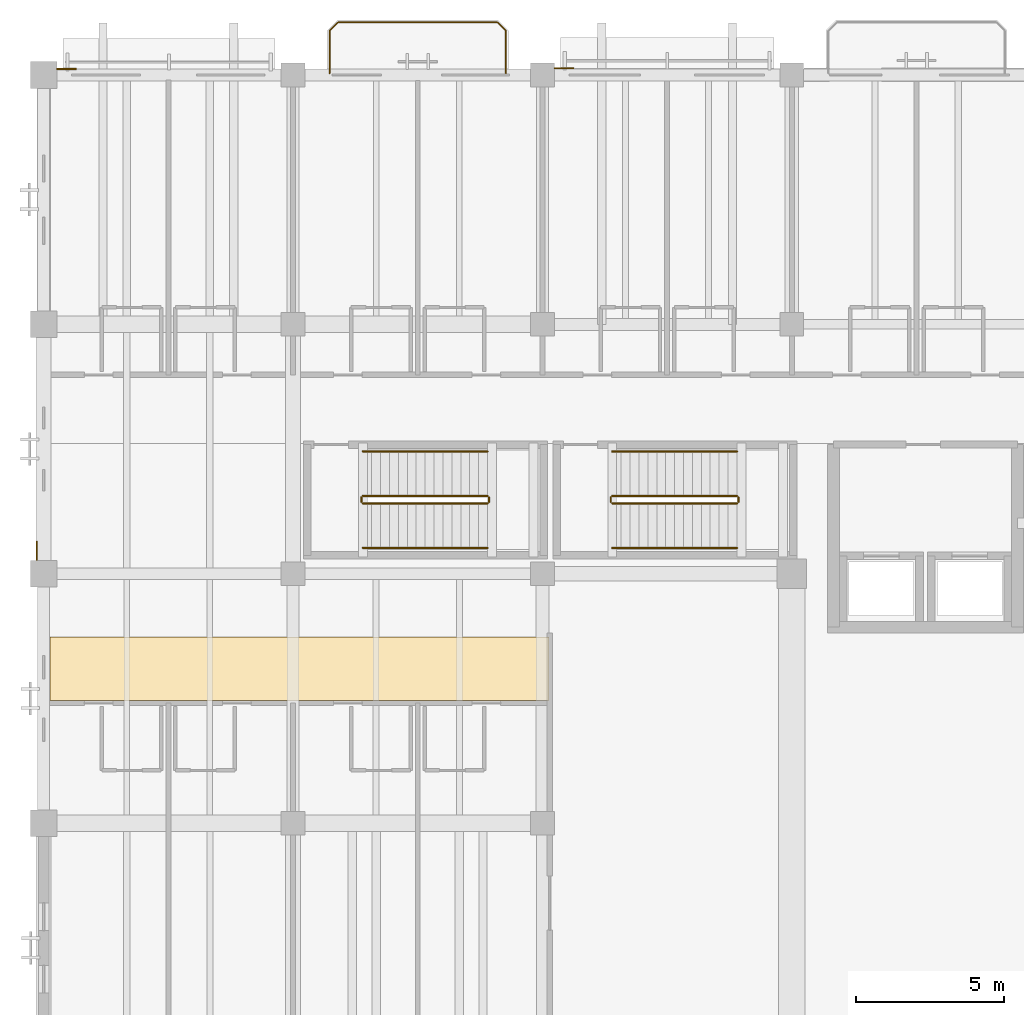
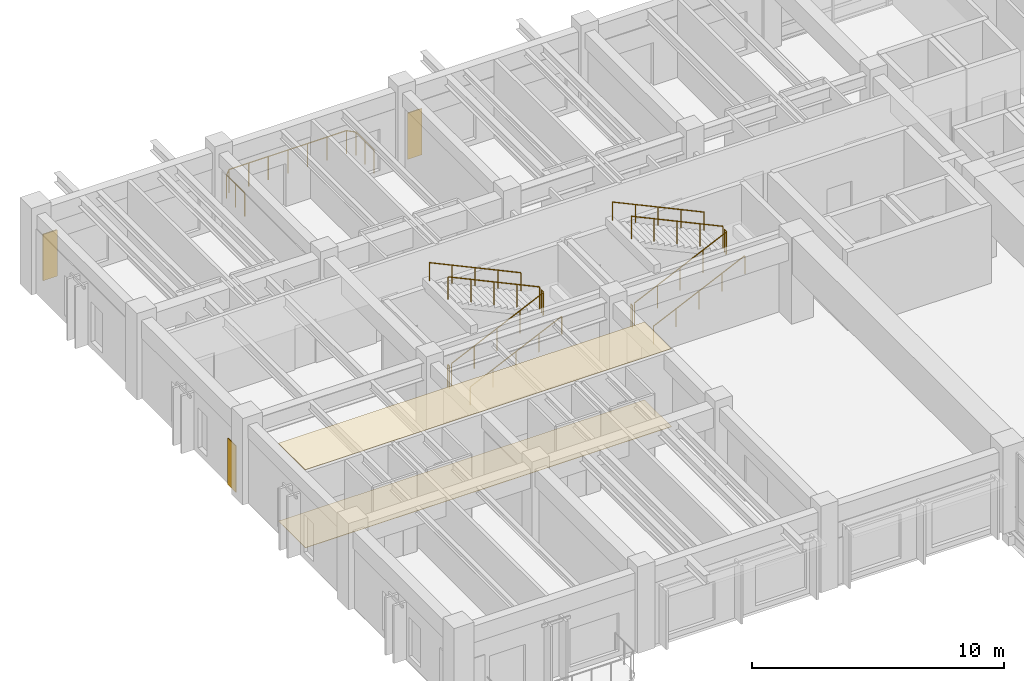
# One storey, part 115 of 132: 13 railings, 5 coverings.
"""IFC4 building model written with IfcOpenShell, lengths in metres."""

from ifc_helpers import new_model, si_unit, direction, frame, origin, origin_2d, place, context, subcontext, project, spatial, polyline, circle, outline, extrude, material, layer, layer_set, type_object, element, save


model = new_model("IFC4")

# Units and contexts
model_context = context("Model", 3, precision=1e-05, world=origin(), true_north=direction((0.0, 1.0)))
body_context = subcontext(model_context, "Body", "Model", "MODEL_VIEW")
ifc_project = project(units=[si_unit("LENGTHUNIT", "METRE"), si_unit("AREAUNIT", "SQUARE_METRE"), si_unit("VOLUMEUNIT", "CUBIC_METRE"), si_unit("PLANEANGLEUNIT", "RADIAN"), si_unit("MASSUNIT", "GRAM", prefix="KILO")], contexts=[model_context])

# Site, building, storey
site_placement = place(None, origin())
site = spatial("IfcSite", under=ifc_project, at=site_placement, CompositionType="ELEMENT")
building_placement = place(site_placement, origin())
building = spatial("IfcBuilding", under=site, at=building_placement, Name="Cumbredor Promenade Congress Hotel", CompositionType="ELEMENT")
storey_placement = place(building_placement, frame((0.0, 0.0, 7.56005859375)))
storey = spatial("IfcBuildingStorey", under=building, at=storey_placement, Name="L02", CompositionType="ELEMENT", Elevation=7.56005859375)

# Coverings
ifc_material_1 = material(Name="Acoustic mineral-fiber and gypsum ceiling")
ifc_layer_1 = layer(ifc_material_1, 0.028076171875, Name="Acoustic mineral-fiber and gypsum ceiling")
ifc_layer_set_1 = layer_set([ifc_layer_1], Name="Acoustic mineral-fiber and gypsum ceiling")
covering_type_1 = type_object("IfcCoveringType", Name="Acoustic Perforated Gypsum Ceiling CLG-03 28mm", PredefinedType="CEILING", material=ifc_layer_set_1)
covering_1_placement = place(storey_placement, frame((0.0, 0.0, 3.77197265625)))
element("IfcCovering", 1, at=covering_1_placement, inside=storey, type_object=covering_type_1, Name="L02 Hotel West Garden Corridor Acoustic Ceiling", PredefinedType="CEILING", context=body_context, shape_type="SweptSolid", body=[
    extrude(outline(polyline([(0.219970703125, 98.669921875), (17.02001953125, 98.669921875), (17.02001953125, 96.530029296875), (0.219970703125, 96.530029296875), (0.219970703125, 98.669921875)])), origin(), (0.0, 0.0, 1.0), 0.028076171875),
])
ifc_material_2 = material(Name="Precast concrete C40/50", Category="concrete")
ifc_layer_2 = layer(ifc_material_2, 0.044921875, Name="Precast concrete C40/50", Category="concrete")
ifc_layer_set_2 = layer_set([ifc_layer_2], Name="Precast concrete C40/50")
covering_type_2 = type_object("IfcCoveringType", Name="Board-Formed Architectural Cladding Panel 45mm", PredefinedType="CLADDING", material=ifc_layer_set_2)
covering_2_placement = place(storey_placement, origin())
element("IfcCovering", 2, at=covering_2_placement, inside=storey, type_object=covering_type_2, Name="L02 Facade Stone Cladding Pier 124", PredefinedType="CLADDING", context=body_context, shape_type="SweptSolid", body=[
    extrude(outline(polyline([(0.450927734375, 117.77490234375), (1.10107421875, 117.77490234375), (1.10107421875, 117.820068359375), (0.450927734375, 117.820068359375), (0.450927734375, 117.77490234375)])), origin(), (0.0, 0.0, 1.0), 2.25),
])

# Railings
ifc_material_3 = material(Name="Brushed stainless steel", Category="steel")
railing_type_1 = type_object("IfcRailingType", Name="Interior Void & Stair Guardrail GR-1100", PredefinedType="GUARDRAIL", material=ifc_material_3)
railing_1_placement = place(storey_placement, frame((10.75, 103.169921875, 0.139892578125)))
element("IfcRailing", 3, at=railing_1_placement, inside=storey, type_object=railing_type_1, Name="L02 ST-01 stair guard 1", PredefinedType="GUARDRAIL", context=body_context, shape_type="SweptSolid", body=[
    extrude(circle(Radius=0.02392578125, at=origin_2d()), frame((0.0, 0.0, 1.09619140625), z_axis=(0.906184485727, 0.0, 0.422882581609), x_axis=(0.0, 1.0, 0.0)), (0.0, 0.0, 1.0), 4.634765625),
    extrude(circle(Radius=0.02099609375, at=origin_2d()), origin(), (0.0, 0.0, 1.0), 1.072021484375),
    extrude(circle(Radius=0.02099609375, at=origin_2d()), frame((1.050048828125, 0.0, 0.489990234375)), (0.0, 0.0, 1.0), 1.072021484375),
    extrude(circle(Radius=0.02099609375, at=origin_2d()), frame((2.10009765625, 0.0, 0.97998046875)), (0.0, 0.0, 1.0), 1.072021484375),
    extrude(circle(Radius=0.02099609375, at=origin_2d()), frame((3.14990234375, 0.0, 1.469970703125)), (0.0, 0.0, 1.0), 1.072021484375),
    extrude(circle(Radius=0.02099609375, at=origin_2d()), frame((4.199951171875, 0.0, 1.9599609375)), (0.0, 0.0, 1.0), 1.072021484375),
])
railing_2_placement = place(storey_placement, frame((15.0, 103.219970703125, 2.099853515625)))
element("IfcRailing", 4, at=railing_2_placement, inside=storey, type_object=railing_type_1, Name="L02 ST-01 stair guard 2", PredefinedType="GUARDRAIL", context=body_context, shape_type="SweptSolid", body=[
    extrude(circle(Radius=0.02392578125, at=origin_2d()), frame((0.0, 0.0, 1.09619140625), z_axis=(0.0, 1.0, 0.0), x_axis=(-1.0, 0.0, 0.0)), (0.0, 0.0, 1.0), 0.150146484375),
    extrude(circle(Radius=0.02099609375, at=origin_2d()), origin(), (0.0, 0.0, 1.0), 1.072021484375),
    extrude(circle(Radius=0.02099609375, at=origin_2d()), frame((0.0, 0.150146484375, 0.0)), (0.0, 0.0, 1.0), 1.072021484375),
])
railing_3_placement = place(storey_placement, frame((14.949951171875, 103.419921875, 2.239990234375)))
element("IfcRailing", 5, at=railing_3_placement, inside=storey, type_object=railing_type_1, Name="L02 ST-01 stair guard 3", PredefinedType="GUARDRAIL", context=body_context, shape_type="SweptSolid", body=[
    extrude(circle(Radius=0.02392578125, at=origin_2d()), frame((0.0, 0.0, 1.09619140625), z_axis=(-0.906184485727, 0.0, 0.422882581609), x_axis=(0.0, -1.0, 0.0)), (0.0, 0.0, 1.0), 4.634765625),
    extrude(circle(Radius=0.02099609375, at=origin_2d()), origin(), (0.0, 0.0, 1.0), 1.072021484375),
    extrude(circle(Radius=0.02099609375, at=origin_2d()), frame((-1.050048828125, 0.0, 0.489990234375)), (0.0, 0.0, 1.0), 1.072021484375),
    extrude(circle(Radius=0.02099609375, at=origin_2d()), frame((-2.10009765625, 0.0, 0.97998046875)), (0.0, 0.0, 1.0), 1.072021484375),
    extrude(circle(Radius=0.02099609375, at=origin_2d()), frame((-3.14990234375, 0.0, 1.469970703125)), (0.0, 0.0, 1.0), 1.072021484375),
    extrude(circle(Radius=0.02099609375, at=origin_2d()), frame((-4.199951171875, 0.0, 1.9599609375)), (0.0, 0.0, 1.0), 1.072021484375),
])
railing_4_placement = place(storey_placement, frame((10.699951171875, 103.219970703125, 0.0)))
element("IfcRailing", 6, at=railing_4_placement, inside=storey, type_object=railing_type_1, Name="L02 ST-01 stair guard 4", PredefinedType="GUARDRAIL", context=body_context, shape_type="SweptSolid", body=[
    extrude(circle(Radius=0.02392578125, at=origin_2d()), frame((0.0, 0.0, 1.09619140625), z_axis=(0.0, 1.0, 0.0), x_axis=(-1.0, 0.0, 0.0)), (0.0, 0.0, 1.0), 0.150146484375),
    extrude(circle(Radius=0.02099609375, at=origin_2d()), origin(), (0.0, 0.0, 1.0), 1.072021484375),
    extrude(circle(Radius=0.02099609375, at=origin_2d()), frame((0.0, 0.150146484375, 0.0)), (0.0, 0.0, 1.0), 1.072021484375),
])
railing_5_placement = place(storey_placement, frame((19.14990234375, 103.169921875, 0.139892578125)))
element("IfcRailing", 7, at=railing_5_placement, inside=storey, type_object=railing_type_1, Name="L02 ST-02 stair guard 1", PredefinedType="GUARDRAIL", context=body_context, shape_type="SweptSolid", body=[
    extrude(circle(Radius=0.02392578125, at=origin_2d()), frame((0.0, 0.0, 1.09619140625), z_axis=(0.906193905077, 0.0, 0.422862396533), x_axis=(0.0, 1.0, 0.0)), (0.0, 0.0, 1.0), 4.635009765625),
    extrude(circle(Radius=0.02099609375, at=origin_2d()), origin(), (0.0, 0.0, 1.0), 1.072021484375),
    extrude(circle(Radius=0.02099609375, at=origin_2d()), frame((1.050048828125, 0.0, 0.489990234375)), (0.0, 0.0, 1.0), 1.072021484375),
    extrude(circle(Radius=0.02099609375, at=origin_2d()), frame((2.10009765625, 0.0, 0.97998046875)), (0.0, 0.0, 1.0), 1.072021484375),
    extrude(circle(Radius=0.02099609375, at=origin_2d()), frame((3.150146484375, 0.0, 1.469970703125)), (0.0, 0.0, 1.0), 1.072021484375),
    extrude(circle(Radius=0.02099609375, at=origin_2d()), frame((4.2001953125, 0.0, 1.9599609375)), (0.0, 0.0, 1.0), 1.072021484375),
])
railing_6_placement = place(storey_placement, frame((23.39990234375, 103.219970703125, 2.099853515625)))
element("IfcRailing", 8, at=railing_6_placement, inside=storey, type_object=railing_type_1, Name="L02 ST-02 stair guard 2", PredefinedType="GUARDRAIL", context=body_context, shape_type="SweptSolid", body=[
    extrude(circle(Radius=0.02392578125, at=origin_2d()), frame((0.0, 0.0, 1.09619140625), z_axis=(0.0, 1.0, 0.0), x_axis=(-1.0, 0.0, 0.0)), (0.0, 0.0, 1.0), 0.150146484375),
    extrude(circle(Radius=0.02099609375, at=origin_2d()), origin(), (0.0, 0.0, 1.0), 1.072021484375),
    extrude(circle(Radius=0.02099609375, at=origin_2d()), frame((0.0, 0.150146484375, 0.0)), (0.0, 0.0, 1.0), 1.072021484375),
])
railing_7_placement = place(storey_placement, frame((23.35009765625, 103.419921875, 2.239990234375)))
element("IfcRailing", 9, at=railing_7_placement, inside=storey, type_object=railing_type_1, Name="L02 ST-02 stair guard 3", PredefinedType="GUARDRAIL", context=body_context, shape_type="SweptSolid", body=[
    extrude(circle(Radius=0.02392578125, at=origin_2d()), frame((0.0, 0.0, 1.09619140625), z_axis=(-0.906193905077, 0.0, 0.422862396533), x_axis=(0.0, -1.0, 0.0)), (0.0, 0.0, 1.0), 4.635009765625),
    extrude(circle(Radius=0.02099609375, at=origin_2d()), origin(), (0.0, 0.0, 1.0), 1.072021484375),
    extrude(circle(Radius=0.02099609375, at=origin_2d()), frame((-1.050048828125, 0.0, 0.489990234375)), (0.0, 0.0, 1.0), 1.072021484375),
    extrude(circle(Radius=0.02099609375, at=origin_2d()), frame((-2.10009765625, 0.0, 0.97998046875)), (0.0, 0.0, 1.0), 1.072021484375),
    extrude(circle(Radius=0.02099609375, at=origin_2d()), frame((-3.150146484375, 0.0, 1.469970703125)), (0.0, 0.0, 1.0), 1.072021484375),
    extrude(circle(Radius=0.02099609375, at=origin_2d()), frame((-4.2001953125, 0.0, 1.9599609375)), (0.0, 0.0, 1.0), 1.072021484375),
])
railing_8_placement = place(storey_placement, frame((19.10009765625, 103.219970703125, 0.0)))
element("IfcRailing", 10, at=railing_8_placement, inside=storey, type_object=railing_type_1, Name="L02 ST-02 stair guard 4", PredefinedType="GUARDRAIL", context=body_context, shape_type="SweptSolid", body=[
    extrude(circle(Radius=0.02392578125, at=origin_2d()), frame((0.0, 0.0, 1.09619140625), z_axis=(0.0, 1.0, 0.0), x_axis=(-1.0, 0.0, 0.0)), (0.0, 0.0, 1.0), 0.150146484375),
    extrude(circle(Radius=0.02099609375, at=origin_2d()), origin(), (0.0, 0.0, 1.0), 1.072021484375),
    extrude(circle(Radius=0.02099609375, at=origin_2d()), frame((0.0, 0.150146484375, 0.0)), (0.0, 0.0, 1.0), 1.072021484375),
])

# Covering
ifc_material_4 = material(Name="Porcelain stoneware tile", Category="masonry")
ifc_layer_3 = layer(ifc_material_4, 0.02001953125, Name="Porcelain stoneware tile", Category="masonry")
ifc_layer_set_3 = layer_set([ifc_layer_3], Name="Porcelain stoneware tile")
covering_type_3 = type_object("IfcCoveringType", Name="Porcelain Stoneware Flooring FLR-01 20mm", PredefinedType="FLOORING", material=ifc_layer_set_3)
covering_3_placement = place(storey_placement, origin())
element("IfcCovering", 11, at=covering_3_placement, inside=storey, type_object=covering_type_3, Name="L02 Hotel West Garden Corridor Porcelain Flooring", PredefinedType="FLOORING", context=body_context, shape_type="SweptSolid", body=[
    extrude(outline(polyline([(0.219970703125, 98.669921875), (17.02001953125, 98.669921875), (17.02001953125, 96.530029296875), (0.219970703125, 96.530029296875), (0.219970703125, 98.669921875)])), origin(), (0.0, 0.0, 1.0), 0.02001953125),
])

# Railings
railing_type_2 = type_object("IfcRailingType", Name="Sky Garden Glass-and-Steel Balustrade BAL-1150", PredefinedType="BALUSTRADE", material=ifc_material_3)
railing_9_placement = place(storey_placement, frame((9.6298828125, 117.64990234375, 0.0)))
element("IfcRailing", 12, at=railing_9_placement, inside=storey, type_object=railing_type_2, Name="L02 Veranda Balcony Balustrade 004", PredefinedType="BALUSTRADE", context=body_context, shape_type="SweptSolid", body=[
    extrude(circle(Radius=0.02392578125, at=origin_2d()), frame((0.0, 0.0, 1.1259765625), z_axis=(0.0, 1.0, 0.0), x_axis=(-1.0, 0.0, 0.0)), (0.0, 0.0, 1.0), 1.440185546875),
    extrude(circle(Radius=0.02392578125, at=origin_2d()), frame((0.0, 1.440185546875, 1.1259765625), z_axis=(0.707106781187, 0.707106781187, 0.0), x_axis=(-0.707106781187, 0.707106781187, 0.0)), (0.0, 0.0, 1.0), 0.39599609375),
    extrude(circle(Radius=0.02392578125, at=origin_2d()), frame((0.280029296875, 1.72021484375, 1.1259765625), z_axis=(1.0, 0.0, 0.0), x_axis=(0.0, 1.0, 0.0)), (0.0, 0.0, 1.0), 5.380126953125),
    extrude(circle(Radius=0.02392578125, at=origin_2d()), frame((5.66015625, 1.72021484375, 1.1259765625), z_axis=(0.707106781187, -0.707106781187, 0.0), x_axis=(0.707106781187, 0.707106781187, 0.0)), (0.0, 0.0, 1.0), 0.39599609375),
    extrude(circle(Radius=0.02392578125, at=origin_2d()), frame((5.940185546875, 1.440185546875, 1.1259765625), z_axis=(0.0, -1.0, 0.0), x_axis=(1.0, 0.0, 0.0)), (0.0, 0.0, 1.0), 1.440185546875),
    extrude(circle(Radius=0.02099609375, at=origin_2d()), origin(), (0.0, 0.0, 1.0), 1.101806640625),
    extrude(circle(Radius=0.02099609375, at=origin_2d()), frame((0.0, 0.72021484375, 0.0)), (0.0, 0.0, 1.0), 1.101806640625),
    extrude(circle(Radius=0.02099609375, at=origin_2d()), frame((0.0, 1.440185546875, 0.0)), (0.0, 0.0, 1.0), 1.101806640625),
    extrude(circle(Radius=0.02099609375, at=origin_2d()), frame((0.280029296875, 1.72021484375, 0.0)), (0.0, 0.0, 1.0), 1.101806640625),
    extrude(circle(Radius=0.02099609375, at=origin_2d()), frame((1.1767578125, 1.72021484375, 0.0)), (0.0, 0.0, 1.0), 1.101806640625),
    extrude(circle(Radius=0.02099609375, at=origin_2d()), frame((2.073486328125, 1.72021484375, 0.0)), (0.0, 0.0, 1.0), 1.101806640625),
    extrude(circle(Radius=0.02099609375, at=origin_2d()), frame((2.97021484375, 1.72021484375, 0.0)), (0.0, 0.0, 1.0), 1.101806640625),
    extrude(circle(Radius=0.02099609375, at=origin_2d()), frame((3.86669921875, 1.72021484375, 0.0)), (0.0, 0.0, 1.0), 1.101806640625),
    extrude(circle(Radius=0.02099609375, at=origin_2d()), frame((4.763427734375, 1.72021484375, 0.0)), (0.0, 0.0, 1.0), 1.101806640625),
    extrude(circle(Radius=0.02099609375, at=origin_2d()), frame((5.66015625, 1.72021484375, 0.0)), (0.0, 0.0, 1.0), 1.101806640625),
    extrude(circle(Radius=0.02099609375, at=origin_2d()), frame((5.940185546875, 1.440185546875, 0.0)), (0.0, 0.0, 1.0), 1.101806640625),
    extrude(circle(Radius=0.02099609375, at=origin_2d()), frame((5.940185546875, 0.72021484375, 0.0)), (0.0, 0.0, 1.0), 1.101806640625),
    extrude(circle(Radius=0.02099609375, at=origin_2d()), frame((5.940185546875, 0.0, 0.0)), (0.0, 0.0, 1.0), 1.101806640625),
])
railing_type_3 = type_object("IfcRailingType", Name="Stair Pitch Handrail HR-900", PredefinedType="HANDRAIL", material=ifc_material_3)
railing_10_placement = place(storey_placement, frame((10.75, 101.669921875, 0.139892578125)))
element("IfcRailing", 13, at=railing_10_placement, inside=storey, type_object=railing_type_3, Name="L02 ST-01 stair handrail 1", PredefinedType="HANDRAIL", context=body_context, shape_type="SweptSolid", body=[
    extrude(circle(Radius=0.02392578125, at=origin_2d()), frame((0.0, 0.0, 0.8759765625), z_axis=(0.906184485727, 0.0, 0.422882581609), x_axis=(0.0, 1.0, 0.0)), (0.0, 0.0, 1.0), 4.634765625),
    extrude(circle(Radius=0.02099609375, at=origin_2d()), origin(), (0.0, 0.0, 1.0), 0.851806640625),
    extrude(circle(Radius=0.02099609375, at=origin_2d()), frame((1.050048828125, 0.0, 0.489990234375)), (0.0, 0.0, 1.0), 0.851806640625),
    extrude(circle(Radius=0.02099609375, at=origin_2d()), frame((2.10009765625, 0.0, 0.97998046875)), (0.0, 0.0, 1.0), 0.851806640625),
    extrude(circle(Radius=0.02099609375, at=origin_2d()), frame((3.14990234375, 0.0, 1.469970703125)), (0.0, 0.0, 1.0), 0.851806640625),
    extrude(circle(Radius=0.02099609375, at=origin_2d()), frame((4.199951171875, 0.0, 1.9599609375)), (0.0, 0.0, 1.0), 0.851806640625),
])
railing_11_placement = place(storey_placement, frame((14.949951171875, 104.919921875, 2.239990234375)))
element("IfcRailing", 14, at=railing_11_placement, inside=storey, type_object=railing_type_3, Name="L02 ST-01 stair handrail 2", PredefinedType="HANDRAIL", context=body_context, shape_type="SweptSolid", body=[
    extrude(circle(Radius=0.02392578125, at=origin_2d()), frame((0.0, 0.0, 0.8759765625), z_axis=(-0.906184485727, 0.0, 0.422882581609), x_axis=(0.0, -1.0, 0.0)), (0.0, 0.0, 1.0), 4.634765625),
    extrude(circle(Radius=0.02099609375, at=origin_2d()), origin(), (0.0, 0.0, 1.0), 0.851806640625),
    extrude(circle(Radius=0.02099609375, at=origin_2d()), frame((-1.050048828125, 0.0, 0.489990234375)), (0.0, 0.0, 1.0), 0.851806640625),
    extrude(circle(Radius=0.02099609375, at=origin_2d()), frame((-2.10009765625, 0.0, 0.97998046875)), (0.0, 0.0, 1.0), 0.851806640625),
    extrude(circle(Radius=0.02099609375, at=origin_2d()), frame((-3.14990234375, 0.0, 1.469970703125)), (0.0, 0.0, 1.0), 0.851806640625),
    extrude(circle(Radius=0.02099609375, at=origin_2d()), frame((-4.199951171875, 0.0, 1.9599609375)), (0.0, 0.0, 1.0), 0.851806640625),
])
railing_12_placement = place(storey_placement, frame((19.14990234375, 101.669921875, 0.139892578125)))
element("IfcRailing", 15, at=railing_12_placement, inside=storey, type_object=railing_type_3, Name="L02 ST-02 stair handrail 1", PredefinedType="HANDRAIL", context=body_context, shape_type="SweptSolid", body=[
    extrude(circle(Radius=0.02392578125, at=origin_2d()), frame((0.0, 0.0, 0.8759765625), z_axis=(0.906193905077, 0.0, 0.422862396533), x_axis=(0.0, 1.0, 0.0)), (0.0, 0.0, 1.0), 4.635009765625),
    extrude(circle(Radius=0.02099609375, at=origin_2d()), origin(), (0.0, 0.0, 1.0), 0.851806640625),
    extrude(circle(Radius=0.02099609375, at=origin_2d()), frame((1.050048828125, 0.0, 0.489990234375)), (0.0, 0.0, 1.0), 0.851806640625),
    extrude(circle(Radius=0.02099609375, at=origin_2d()), frame((2.10009765625, 0.0, 0.97998046875)), (0.0, 0.0, 1.0), 0.851806640625),
    extrude(circle(Radius=0.02099609375, at=origin_2d()), frame((3.150146484375, 0.0, 1.469970703125)), (0.0, 0.0, 1.0), 0.851806640625),
    extrude(circle(Radius=0.02099609375, at=origin_2d()), frame((4.2001953125, 0.0, 1.9599609375)), (0.0, 0.0, 1.0), 0.851806640625),
])
railing_13_placement = place(storey_placement, frame((23.35009765625, 104.919921875, 2.239990234375)))
element("IfcRailing", 16, at=railing_13_placement, inside=storey, type_object=railing_type_3, Name="L02 ST-02 stair handrail 2", PredefinedType="HANDRAIL", context=body_context, shape_type="SweptSolid", body=[
    extrude(circle(Radius=0.02392578125, at=origin_2d()), frame((0.0, 0.0, 0.8759765625), z_axis=(-0.906193905077, 0.0, 0.422862396533), x_axis=(0.0, -1.0, 0.0)), (0.0, 0.0, 1.0), 4.635009765625),
    extrude(circle(Radius=0.02099609375, at=origin_2d()), origin(), (0.0, 0.0, 1.0), 0.851806640625),
    extrude(circle(Radius=0.02099609375, at=origin_2d()), frame((-1.050048828125, 0.0, 0.489990234375)), (0.0, 0.0, 1.0), 0.851806640625),
    extrude(circle(Radius=0.02099609375, at=origin_2d()), frame((-2.10009765625, 0.0, 0.97998046875)), (0.0, 0.0, 1.0), 0.851806640625),
    extrude(circle(Radius=0.02099609375, at=origin_2d()), frame((-3.150146484375, 0.0, 1.469970703125)), (0.0, 0.0, 1.0), 0.851806640625),
    extrude(circle(Radius=0.02099609375, at=origin_2d()), frame((-4.2001953125, 0.0, 1.9599609375)), (0.0, 0.0, 1.0), 0.851806640625),
])

# Coverings
ifc_material_5 = material(Name="Volcanic andesite ashlar cladding", Category="masonry")
ifc_layer_4 = layer(ifc_material_5, 0.034912109375, Name="Volcanic andesite ashlar cladding", Category="masonry")
ifc_layer_set_4 = layer_set([ifc_layer_4], Name="Volcanic andesite ashlar cladding")
covering_type_4 = type_object("IfcCoveringType", Name="Volcanic Andesite Ashlar Rainscreen Cladding 35mm", PredefinedType="CLADDING", material=ifc_layer_set_4)
covering_4_placement = place(storey_placement, origin())
element("IfcCovering", 17, at=covering_4_placement, inside=storey, type_object=covering_type_4, Name="L02 Facade Stone Cladding Pier 125", PredefinedType="CLADDING", context=body_context, shape_type="SweptSolid", body=[
    extrude(outline(polyline([(17.200927734375, 117.8125), (17.85107421875, 117.8125), (17.85107421875, 117.847412109375), (17.200927734375, 117.847412109375), (17.200927734375, 117.8125)])), origin(), (0.0, 0.0, 1.0), 2.25),
])
covering_5_placement = place(storey_placement, origin())
element("IfcCovering", 18, at=covering_5_placement, inside=storey, type_object=covering_type_4, Name="L02 Facade Stone Cladding Pier 129", PredefinedType="CLADDING", context=body_context, shape_type="SweptSolid", body=[
    extrude(outline(polyline([(-0.21240234375, 101.2509765625), (-0.21240234375, 101.90087890625), (-0.24755859375, 101.90087890625), (-0.24755859375, 101.2509765625), (-0.21240234375, 101.2509765625)])), origin(), (0.0, 0.0, 1.0), 2.25),
])

save(model, "model.ifc")
